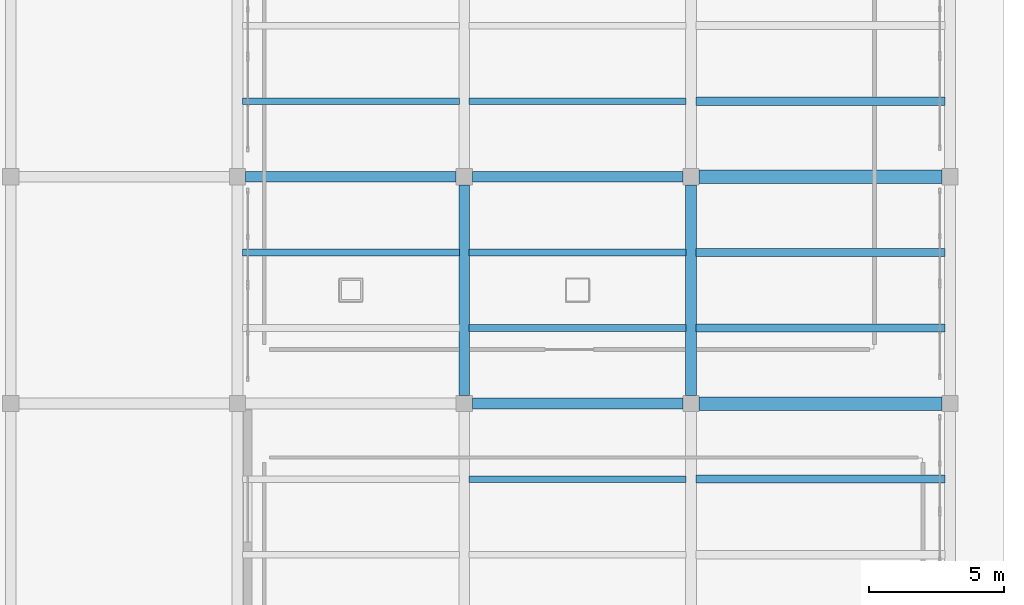
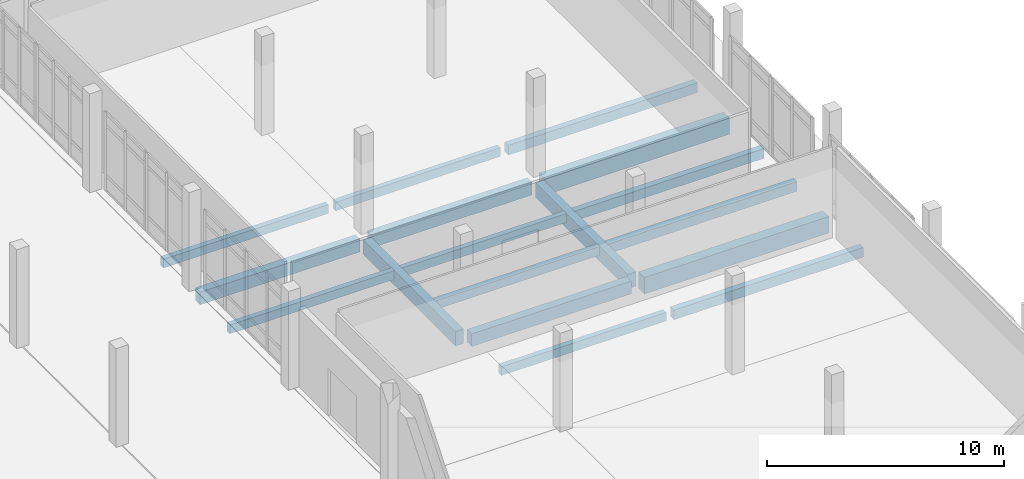
# One storey, part 25 of 64: 17 beams.
"""IFC4 building model written with IfcOpenShell, lengths in metres."""

from ifc_helpers import new_model, si_unit, derived_unit, direction, frame, origin, origin_2d, place, context, subcontext, project, spatial, rectangle, extrude, material, material_profile, profile_set, type_object, element, save


model = new_model("IFC4")

# Units and contexts
model_context = context("Model", 3, precision=1e-05, world=origin(), true_north=direction((0.0, 1.0)))
body_context = subcontext(model_context, "Body", "Model", "MODEL_VIEW")
ifc_project = project(units=[si_unit("LENGTHUNIT", "METRE"), si_unit("AREAUNIT", "SQUARE_METRE"), si_unit("VOLUMEUNIT", "CUBIC_METRE"), si_unit("PLANEANGLEUNIT", "RADIAN"), si_unit("MASSUNIT", "GRAM", prefix="KILO"), derived_unit("THERMALTRANSMITTANCEUNIT", [(si_unit("POWERUNIT", "WATT"), 1), (si_unit("LENGTHUNIT", "METRE"), -2), (si_unit("THERMODYNAMICTEMPERATUREUNIT", "KELVIN"), -1)])], contexts=[model_context])

# Site, building, storey
site_placement = place(None, origin())
site = spatial("IfcSite", under=ifc_project, at=site_placement, CompositionType="ELEMENT")
building_placement = place(site_placement, origin())
building = spatial("IfcBuilding", under=site, at=building_placement, Name="Elbkamm Science Centre", CompositionType="ELEMENT")
storey_placement = place(building_placement, origin())
storey = spatial("IfcBuildingStorey", under=building, at=storey_placement, Name="L00", CompositionType="ELEMENT", Elevation=0.0)

# Beams
ifc_material = material(Name="Concrete C40/50", Category="concrete")
ifc_material_profile_1 = material_profile(ifc_material, rectangle(XDim=0.39990234375, YDim=0.64990234375, at=origin_2d()), Name="RC 400x650")
ifc_profile_set_1 = profile_set([ifc_material_profile_1], Name="Concrete C40/50")
beam_type_1 = type_object("IfcBeamType", Name="BM-RC-400x650", PredefinedType="BEAM", material=ifc_profile_set_1)
beam_1_placement = place(storey_placement, frame((143.10009765625, 84.0, -0.625), z_axis=(1.0, 0.0, 0.0), x_axis=(0.0, 1.0, 0.0)))
element("IfcBeam", 1, at=beam_1_placement, inside=storey, type_object=beam_type_1, Name="L00 Primary X-Girder 082", PredefinedType="BEAM", context=body_context, shape_type="SweptSolid", body=[
    extrude(rectangle(XDim=0.39990234375, YDim=0.64990234375, at=origin_2d()), origin(), (0.0, 0.0, 1.0), 7.7998046875),
])
beam_2_placement = place(storey_placement, frame((134.699951171875, 92.39990234375, -0.625), z_axis=(1.0, 0.0, 0.0), x_axis=(0.0, 1.0, 0.0)))
element("IfcBeam", 2, at=beam_2_placement, inside=storey, type_object=beam_type_1, Name="L00 Primary X-Girder 086", PredefinedType="BEAM", context=body_context, shape_type="SweptSolid", body=[
    extrude(rectangle(XDim=0.39990234375, YDim=0.64990234375, at=origin_2d()), origin(), (0.0, 0.0, 1.0), 7.800048828125),
])
beam_3_placement = place(storey_placement, frame((143.10009765625, 92.39990234375, -0.625), z_axis=(1.0, 0.0, 0.0), x_axis=(0.0, 1.0, 0.0)))
element("IfcBeam", 3, at=beam_3_placement, inside=storey, type_object=beam_type_1, Name="L00 Primary X-Girder 087", PredefinedType="BEAM", context=body_context, shape_type="SweptSolid", body=[
    extrude(rectangle(XDim=0.39990234375, YDim=0.64990234375, at=origin_2d()), origin(), (0.0, 0.0, 1.0), 7.7998046875),
])
ifc_material_profile_2 = material_profile(ifc_material, rectangle(XDim=0.39990234375, YDim=0.75, at=origin_2d()), Name="RC 400x750")
ifc_profile_set_2 = profile_set([ifc_material_profile_2], Name="Concrete C40/50")
beam_type_2 = type_object("IfcBeamType", Name="BM-RC-400x750", PredefinedType="BEAM", material=ifc_profile_set_2)
for number, where, z_axis, x_axis, name in (
    (4, (142.800048828125, 84.300048828125, -0.675048828125), (0.0, 1.0, 0.0), (-1.0, 0.0, 0.0), "L00 Primary Y-Girder 065"),
    (5, (151.199951171875, 84.300048828125, -0.675048828125), (0.0, 1.0, 0.0), (-1.0, 0.0, 0.0), "L00 Primary Y-Girder 075"),
):
    element("IfcBeam", number, at=place(storey_placement, frame(where, z_axis=z_axis, x_axis=x_axis)), inside=storey, type_object=beam_type_2, Name=name, PredefinedType="BEAM", context=body_context, shape_type="SweptSolid", body=[
        extrude(rectangle(XDim=0.39990234375, YDim=0.75, at=origin_2d()), origin(), (0.0, 0.0, 1.0), 7.800048828125),
    ])
ifc_material_profile_3 = material_profile(ifc_material, rectangle(XDim=0.5, YDim=0.85009765625, at=origin_2d()), Name="RC 500x850")
ifc_profile_set_3 = profile_set([ifc_material_profile_3], Name="Concrete C40/50")
beam_type_3 = type_object("IfcBeamType", Name="BM-RC-500x850", PredefinedType="BEAM", material=ifc_profile_set_3)
for number, where, z_axis, x_axis, name in (
    (6, (151.5, 84.0, -0.72509765625), (1.0, 0.0, 0.0), (0.0, 1.0, 0.0), "L00 Primary X-Girder 083"),
    (7, (151.5, 92.39990234375, -0.72509765625), (1.0, 0.0, 0.0), (0.0, 1.0, 0.0), "L00 Primary X-Girder 088"),
):
    element("IfcBeam", number, at=place(storey_placement, frame(where, z_axis=z_axis, x_axis=x_axis)), inside=storey, type_object=beam_type_3, Name=name, PredefinedType="BEAM", context=body_context, shape_type="SweptSolid", body=[
        extrude(rectangle(XDim=0.5, YDim=0.85009765625, at=origin_2d()), origin(), (0.0, 0.0, 1.0), 9.0),
    ])
ifc_material_profile_4 = material_profile(ifc_material, rectangle(XDim=0.25, YDim=0.449951171875, at=origin_2d()), Name="RC 250x450")
ifc_profile_set_4 = profile_set([ifc_material_profile_4], Name="Concrete C40/50")
beam_type_4 = type_object("IfcBeamType", Name="JST-RC-250x450", PredefinedType="JOIST", material=ifc_profile_set_4)
for number, where, z_axis, x_axis, name in (
    (8, (134.580078125, 89.60009765625, -0.52490234375), (1.0, 0.0, 0.0), (0.0, 1.0, 0.0), "L00 Secondary Floor Joist 044"),
    (9, (134.580078125, 95.199951171875, -0.52490234375), (1.0, 0.0, 0.0), (0.0, 1.0, 0.0), "L00 Secondary Floor Joist 045"),
    (10, (142.97998046875, 81.199951171875, -0.52490234375), (1.0, 0.0, 0.0), (0.0, 1.0, 0.0), "L00 Secondary Floor Joist 054"),
    (11, (142.97998046875, 86.800048828125, -0.52490234375), (1.0, 0.0, 0.0), (0.0, 1.0, 0.0), "L00 Secondary Floor Joist 055"),
    (12, (142.97998046875, 89.60009765625, -0.52490234375), (1.0, 0.0, 0.0), (0.0, 1.0, 0.0), "L00 Secondary Floor Joist 056"),
    (13, (142.97998046875, 95.199951171875, -0.52490234375), (1.0, 0.0, 0.0), (0.0, 1.0, 0.0), "L00 Secondary Floor Joist 057"),
):
    element("IfcBeam", number, at=place(storey_placement, frame(where, z_axis=z_axis, x_axis=x_axis)), inside=storey, type_object=beam_type_4, Name=name, PredefinedType="JOIST", context=body_context, shape_type="SweptSolid", body=[
        extrude(rectangle(XDim=0.25, YDim=0.449951171875, at=origin_2d()), origin(), (0.0, 0.0, 1.0), 8.0400390625),
    ])
ifc_material_profile_5 = material_profile(ifc_material, rectangle(XDim=0.300048828125, YDim=0.5, at=origin_2d()), Name="RC 300x500")
ifc_profile_set_5 = profile_set([ifc_material_profile_5], Name="Concrete C40/50")
beam_type_5 = type_object("IfcBeamType", Name="JST-RC-300x500", PredefinedType="JOIST", material=ifc_profile_set_5)
for number, where, z_axis, x_axis, name in (
    (14, (151.3798828125, 81.199951171875, -0.550048828125), (1.0, 0.0, 0.0), (0.0, 1.0, 0.0), "L00 Secondary Floor Joist 074"),
    (15, (151.3798828125, 86.800048828125, -0.550048828125), (1.0, 0.0, 0.0), (0.0, 1.0, 0.0), "L00 Secondary Floor Joist 075"),
    (16, (151.3798828125, 89.60009765625, -0.550048828125), (1.0, 0.0, 0.0), (0.0, 1.0, 0.0), "L00 Secondary Floor Joist 076"),
    (17, (151.3798828125, 95.199951171875, -0.550048828125), (1.0, 0.0, 0.0), (0.0, 1.0, 0.0), "L00 Secondary Floor Joist 077"),
):
    element("IfcBeam", number, at=place(storey_placement, frame(where, z_axis=z_axis, x_axis=x_axis)), inside=storey, type_object=beam_type_5, Name=name, PredefinedType="JOIST", context=body_context, shape_type="SweptSolid", body=[
        extrude(rectangle(XDim=0.300048828125, YDim=0.5, at=origin_2d()), origin(), (0.0, 0.0, 1.0), 9.240234375),
    ])

save(model, "model.ifc")
